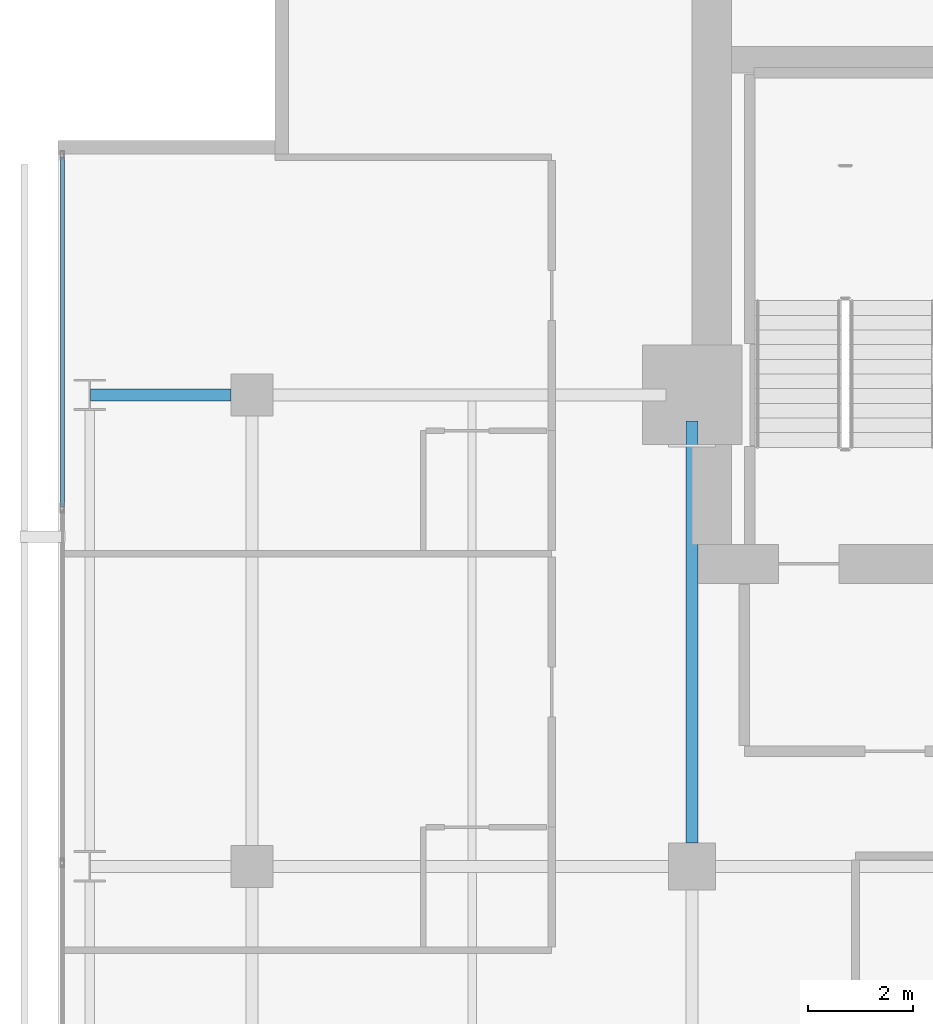
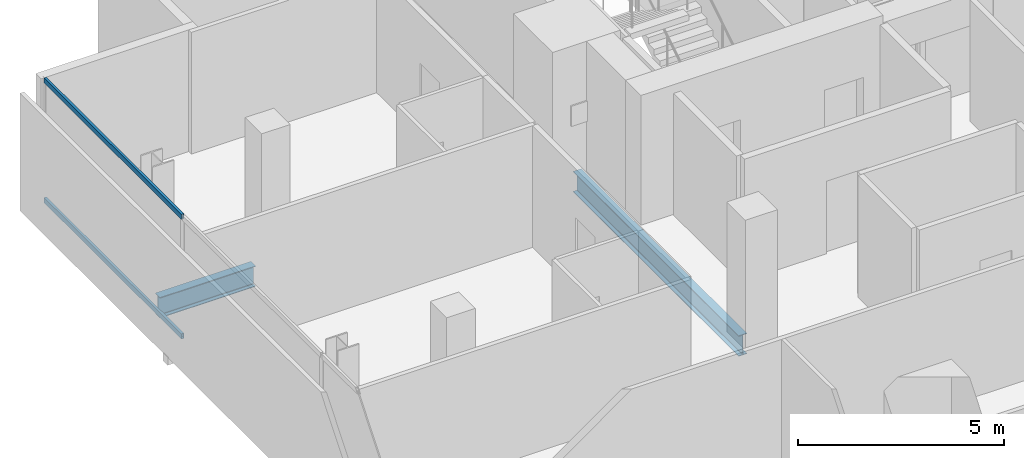
# One storey, part 19 of 34: 2 beams, 2 members, 1 element without a shape of its own.
"""IFC4 building model written with IfcOpenShell, lengths in metres."""

from ifc_helpers import new_model, si_unit, direction, frame, origin, origin_2d, place, context, subcontext, project, spatial, hollow_rectangle, i_section, extrude, material, layer, layer_set, material_profile, profile_set, type_object, element, aggregate, save


model = new_model("IFC4")

# Units and contexts
model_context = context("Model", 3, precision=1e-05, world=origin(), true_north=direction((0.0, 1.0)))
body_context = subcontext(model_context, "Body", "Model", "MODEL_VIEW")
ifc_project = project(units=[si_unit("LENGTHUNIT", "METRE"), si_unit("AREAUNIT", "SQUARE_METRE"), si_unit("VOLUMEUNIT", "CUBIC_METRE"), si_unit("PLANEANGLEUNIT", "RADIAN"), si_unit("MASSUNIT", "GRAM", prefix="KILO")], contexts=[model_context])

# Site, building, storey
site_placement = place(None, origin())
site = spatial("IfcSite", under=ifc_project, at=site_placement, CompositionType="ELEMENT")
building_placement = place(site_placement, origin())
building = spatial("IfcBuilding", under=site, at=building_placement, Name="Maruvema Waterfront Hotel and Observation Tower", CompositionType="ELEMENT")
storey_placement = place(building_placement, frame((0.0, 0.0, 135.10009765625)))
storey = spatial("IfcBuildingStorey", under=building, at=storey_placement, Name="L32", CompositionType="ELEMENT", Elevation=135.10009765625)

# Curtain wall, members
ifc_material_1 = material(Name="Anodised bronze aluminium and solar-control low-E IGU", Category="aluminium")
ifc_layer = layer(ifc_material_1, 0.159912109375, Name="Zone 2 Amber Inner Thermal Curtain Wall System CW-03")
ifc_layer_set = layer_set([ifc_layer], Name="Anodised bronze aluminium and solar-control low-E IGU")
curtain_wall_type = type_object("IfcCurtainWallType", Name="Zone 2 Amber Inner Thermal Curtain Wall System CW-03", PredefinedType="USERDEFINED", material=ifc_layer_set)
curtain_wall_placement = place(storey_placement, origin())
curtain_wall = element("IfcCurtainWall", 1, at=curtain_wall_placement, inside=storey, type_object=curtain_wall_type, Name="L32 Curtain Wall CW-L32-W", ObjectType="UNITISED CURTAIN WALL", PredefinedType="USERDEFINED")
ifc_material_2 = material(Name="Anodised architectural bronze aluminium", Category="aluminium")
ifc_material_profile_1 = material_profile(ifc_material_2, hollow_rectangle(XDim=0.070068359375, YDim=0.14990234375, WallThickness=0.00390625, at=origin_2d()), Name="ALU-T70x150")
ifc_profile_set_1 = profile_set([ifc_material_profile_1], Name="Anodised architectural bronze aluminium")
member_type = type_object("IfcMemberType", Name="Curtain Wall Horizontal Transom ALU-T70x150", PredefinedType="USERDEFINED", material=ifc_profile_set_1)
member_1_placement = place(storey_placement, frame((13.179931640625, 49.5400390625, 0.02978515625), z_axis=(0.0, -1.0, 0.0), x_axis=(1.0, 0.0, 0.0)))
member_1 = element("IfcMember", 2, at=member_1_placement, type_object=member_type, Name="CW-03 transom 1.1", ObjectType="TRANSOM", PredefinedType="USERDEFINED", context=body_context, shape_type="SweptSolid", body=[
    extrude(hollow_rectangle(XDim=0.070068359375, YDim=0.14990234375, WallThickness=0.00390625, at=origin_2d()), origin(), (0.0, 0.0, 1.0), 6.6767578125),
])
member_2_placement = place(storey_placement, frame((13.179931640625, 49.5400390625, 3.579833984375), z_axis=(0.0, -1.0, 0.0), x_axis=(1.0, 0.0, 0.0)))
member_2 = element("IfcMember", 3, at=member_2_placement, type_object=member_type, Name="CW-03 transom 1.2", ObjectType="TRANSOM", PredefinedType="USERDEFINED", context=body_context, shape_type="SweptSolid", body=[
    extrude(hollow_rectangle(XDim=0.070068359375, YDim=0.14990234375, WallThickness=0.00390625, at=origin_2d()), origin(), (0.0, 0.0, 1.0), 6.6767578125),
])
aggregate(curtain_wall, [member_1, member_2])

# Beams
ifc_material_3 = material(Name="Steel ASTM A572 Grade 50", Category="steel")
ifc_material_profile_2 = material_profile(ifc_material_3, i_section(OverallWidth=0.22900390625, OverallDepth=0.612060546875, WebThickness=0.011962890625, FlangeThickness=0.01953125, FilletRadius=0.01806640625, at=origin_2d()), Name="W610x125.0")
ifc_profile_set_2 = profile_set([ifc_material_profile_2], Name="Steel ASTM A572 Grade 50")
beam_type = type_object("IfcBeamType", Name="Primary Floor Girder W610x125.0", PredefinedType="BEAM", material=ifc_profile_set_2)
beam_1_placement = place(storey_placement, frame((13.71240234375, 45.0, -0.546142578125), z_axis=(1.0, 0.0, 0.0), x_axis=(0.0, 1.0, 0.0)))
element("IfcBeam", 4, at=beam_1_placement, inside=storey, type_object=beam_type, Name="L32 Floor Girder EW-30", PredefinedType="BEAM", context=body_context, shape_type="SweptSolid", body=[
    extrude(i_section(OverallWidth=0.22900390625, OverallDepth=0.612060546875, WebThickness=0.011962890625, FlangeThickness=0.01953125, FilletRadius=0.01806640625, at=origin_2d()), origin(), (0.0, 0.0, 1.0), 2.6875),
])
beam_2_placement = place(storey_placement, frame((25.199951171875, 36.449951171875, -0.546142578125), z_axis=(0.0, 1.0, 0.0), x_axis=(-1.0, 0.0, 0.0)))
element("IfcBeam", 5, at=beam_2_placement, inside=storey, type_object=beam_type, Name="L32 Floor Girder NS-13", PredefinedType="BEAM", context=body_context, shape_type="SweptSolid", body=[
    extrude(i_section(OverallWidth=0.22900390625, OverallDepth=0.612060546875, WebThickness=0.011962890625, FlangeThickness=0.01953125, FilletRadius=0.01806640625, at=origin_2d()), origin(), (0.0, 0.0, 1.0), 8.050048828125),
])

save(model, "model.ifc")
